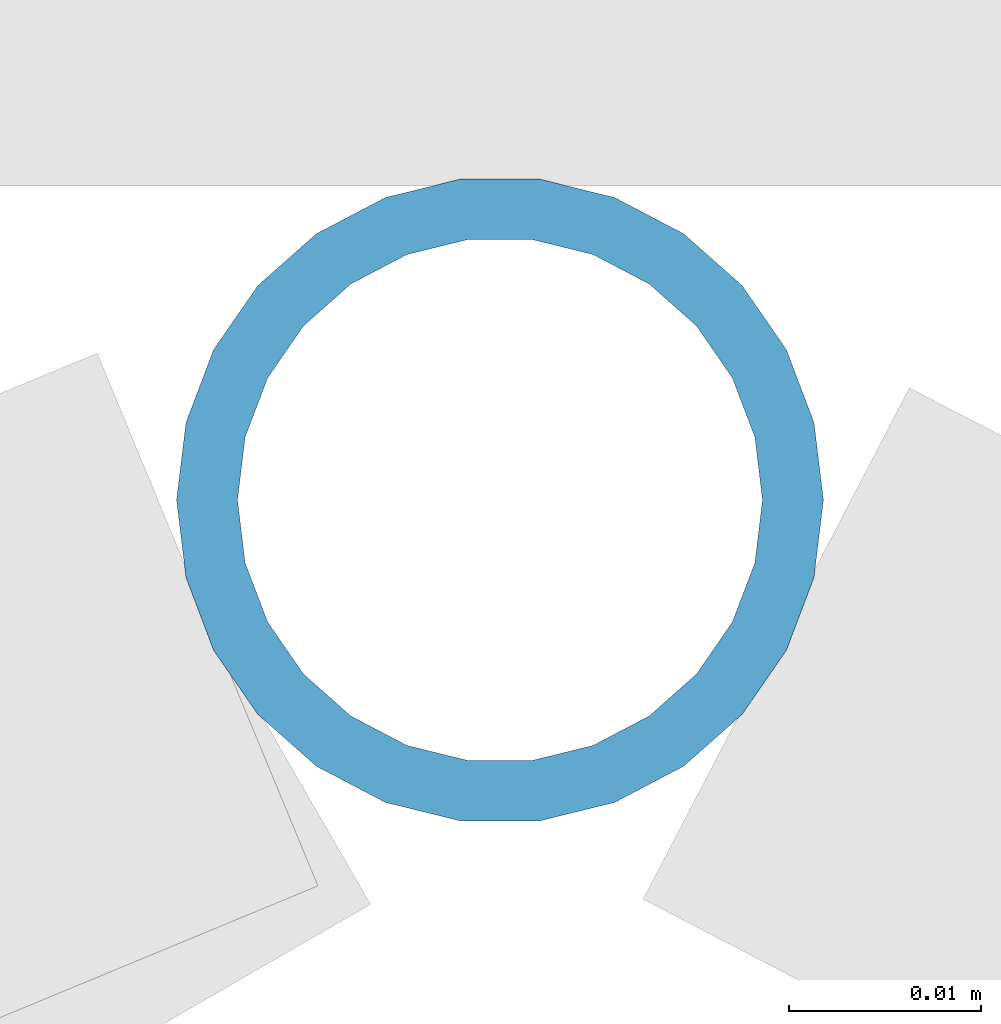
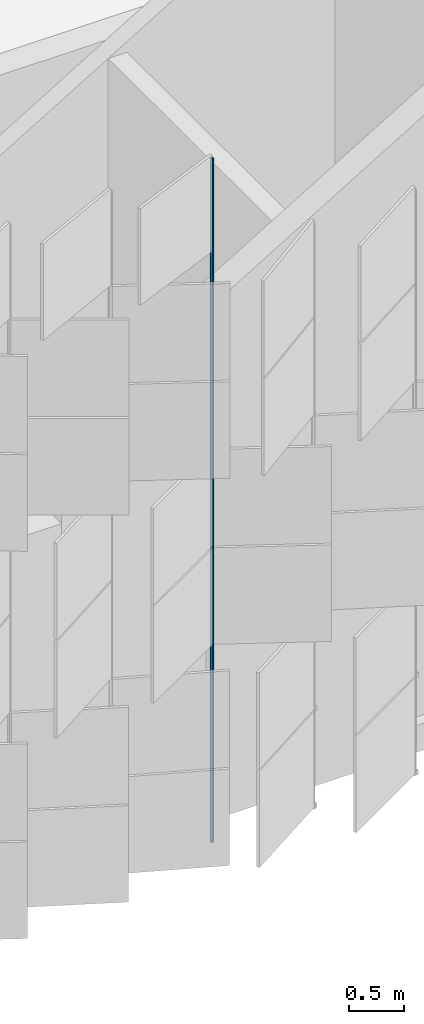
# One storey, part 161 of 483: 1 discrete accessory.
"""IFC4 building model written with IfcOpenShell, lengths in metres."""

import ifcopenshell
import ifcopenshell.guid

model = None  # the IFC model being written
_history = None  # IfcOwnerHistory: only IFC2X3 demands one
_inside = {}  # id of a spatial element -> (the spatial element, [elements in it])
_under = {}  # id of a project, library or spatial element -> (it, [spatial elements below it])
_declared = {}  # id of a project -> (the project, [libraries it declares])
_typed = {}  # id of a type object -> (the type object, [elements of that type])
_made_of = {}  # id of a material, layer set ... -> (it, [elements and type objects made of it])


def new_model(schema):
    """Start an empty IFC model of exactly this schema.

    Asked for "IFC4X3", IfcOpenShell would pick the latest addendum, in which some entities
    have other attributes; the version numbers below select the first issue.
    IFC2X3 requires an IfcOwnerHistory on every rooted entity: one is made here for all.
    """
    global model, _history
    if schema == "IFC4X3":
        model = ifcopenshell.file(schema_version=(4, 3, 0, 0))
    else:
        model = ifcopenshell.file(schema=schema)
    _inside.clear()
    _under.clear()
    _declared.clear()
    _typed.clear()
    _made_of.clear()
    _history = None
    if model.schema == "IFC2X3":
        org = make("IfcOrganization", Name="unknown")
        user = make(
            "IfcPersonAndOrganization",
            ThePerson=make("IfcPerson", FamilyName="unknown"),
            TheOrganization=org,
        )
        app = make(
            "IfcApplication",
            ApplicationDeveloper=org,
            Version="unknown",
            ApplicationFullName="unknown",
            ApplicationIdentifier="unknown",
        )
        _history = make(
            "IfcOwnerHistory",
            OwningUser=user,
            OwningApplication=app,
            ChangeAction="ADDED",
            CreationDate=0,
        )
    return model


def make(cls, **values):
    """One entity of the class cls with the attributes given. An attribute that is None is left unset."""
    return model.create_entity(
        cls, **{name: value for name, value in values.items() if value is not None}
    )


def rooted(cls, **values):
    """An entity with a GlobalId (a new one), such as an element, a storey or a relation."""
    return make(cls, GlobalId=ifcopenshell.guid.new(), OwnerHistory=_history, **values)


def si_unit(unit_type, name, prefix=None):
    """IfcSIUnit, for example si_unit("LENGTHUNIT", "METRE", prefix="MILLI")."""
    return make("IfcSIUnit", UnitType=unit_type, Prefix=prefix, Name=name)


def assignment(units):
    """IfcUnitAssignment: the units of a project."""
    return None if units is None else make("IfcUnitAssignment", Units=units)


def point(xyz):
    """IfcCartesianPoint."""
    return None if xyz is None else make("IfcCartesianPoint", Coordinates=xyz)


def direction(xyz):
    """IfcDirection."""
    return None if xyz is None else make("IfcDirection", DirectionRatios=xyz)


def frame(location, z_axis=None, x_axis=None):
    """IfcAxis2Placement3D, a coordinate frame: its origin and axes. An axis left out is left unset."""
    return make(
        "IfcAxis2Placement3D",
        Location=point(location),
        Axis=direction(z_axis),
        RefDirection=direction(x_axis),
    )


def frame_2d(location, x_axis=None):
    """IfcAxis2Placement2D, a coordinate frame in the plane: its origin and x axis."""
    return make(
        "IfcAxis2Placement2D", Location=point(location), RefDirection=direction(x_axis)
    )


def origin():
    """The frame at (0, 0, 0) with its axes left unset."""
    return frame((0.0, 0.0, 0.0))


def origin_2d():
    """The frame at (0, 0) in the plane with its x axis left unset."""
    return frame_2d((0.0, 0.0))


def place(relative_to, where):
    """IfcLocalPlacement: puts the frame where relative to a parent placement (None: the world)."""
    return make(
        "IfcLocalPlacement", PlacementRelTo=relative_to, RelativePlacement=where
    )


def context(
    kind, dimensions, precision=None, world=None, true_north=None, identifier=None
):
    """IfcGeometricRepresentationContext, for example the 3D "Model" context."""
    return make(
        "IfcGeometricRepresentationContext",
        ContextIdentifier=identifier,
        ContextType=kind,
        CoordinateSpaceDimension=dimensions,
        Precision=precision,
        WorldCoordinateSystem=world,
        TrueNorth=true_north,
    )


def subcontext(parent, identifier, kind, view, scale=None):
    """IfcGeometricRepresentationSubContext, for example "Body" below "Model"."""
    return make(
        "IfcGeometricRepresentationSubContext",
        ContextIdentifier=identifier,
        ContextType=kind,
        ParentContext=parent,
        TargetScale=scale,
        TargetView=view,
    )


def project(units=None, contexts=None):
    """IfcProject with its units and contexts."""
    return rooted(
        "IfcProject",
        Name="project",
        RepresentationContexts=contexts,
        UnitsInContext=assignment(units),
    )


def spatial(cls, under=None, at=None, **own):
    """A site, building, storey or space (cls), placed at a placement, below another one or the project."""
    s = rooted(cls, ObjectPlacement=at, **own)
    if under is not None:
        _under.setdefault(under.id(), (under, []))[1].append(s)
    return s


def profile(cls, at=None, kind="AREA", **sizes):
    """A parametric profile (cls). Its sizes go by their IFC names, for example OverallWidth=200.0."""
    return make(cls, ProfileType=kind, Position=at, **sizes)


def hollow_circle(**sizes):
    """IfcCircleHollowProfileDef."""
    return profile("IfcCircleHollowProfileDef", **sizes)


def extrude(swept, where, along, depth):
    """IfcExtrudedAreaSolid: the profile swept, set in the frame where, extruded along a direction by depth."""
    return make(
        "IfcExtrudedAreaSolid",
        SweptArea=swept,
        Position=where,
        ExtrudedDirection=direction(along),
        Depth=depth,
    )


def shape(context_of_items, identifier, shape_type, items):
    """IfcShapeRepresentation: the items that make up one representation, for example the "Body"."""
    return make(
        "IfcShapeRepresentation",
        ContextOfItems=context_of_items,
        RepresentationIdentifier=identifier,
        RepresentationType=shape_type,
        Items=items,
    )


def material(Name=None, Category=None):
    """IfcMaterial."""
    return make("IfcMaterial", Name=Name, Category=Category)


def material_profile(
    of_material, cross_section, Name=None, Category=None, Priority=None
):
    """IfcMaterialProfile: a cross section and its material."""
    return make(
        "IfcMaterialProfile",
        Name=Name,
        Material=of_material,
        Profile=cross_section,
        Priority=Priority,
        Category=Category,
    )


def profile_set(profiles, Name=None, composite=None):
    """IfcMaterialProfileSet."""
    return make(
        "IfcMaterialProfileSet",
        Name=Name,
        MaterialProfiles=profiles,
        CompositeProfile=composite,
    )


def made_of(thing, what):
    """Note that an element or type object is made of a material, layer set ...; save() writes the relation."""
    if what is not None:
        _made_of.setdefault(what.id(), (what, []))[1].append(thing)
    return thing


def type_object(cls, material=None, **own):
    """A type object (cls), such as IfcWallType, which elements share."""
    return made_of(rooted(cls, **own), material)


def element(
    cls,
    number,
    at=None,
    inside=None,
    cuts=None,
    type_object=None,
    material=None,
    context=None,
    identifier="Body",
    shape_type=None,
    held_by="IfcProductDefinitionShape",
    body=None,
    shapes=None,
    **own,
):
    """One element of the class cls, such as IfcWall. Its Tag is "e" and its number.

    at: its placement. inside: the storey or other place that contains it. cuts: it is an
    opening in that element (IfcRelVoidsElement). A single representation is given by context,
    identifier, shape_type and body (its items); several are given by shapes. held_by: the class
    of the entity that holds the representations. save() writes the other relations.
    """
    e = rooted(cls, Tag="e%d" % number, ObjectPlacement=at, **own)
    if body is not None:
        shapes = [shape(context, identifier, shape_type, body)]
    if shapes is not None:
        e.Representation = make(held_by, Representations=shapes)
    if inside is not None:
        _inside.setdefault(inside.id(), (inside, []))[1].append(e)
    if cuts is not None:
        rooted(
            "IfcRelVoidsElement", RelatingBuildingElement=cuts, RelatedOpeningElement=e
        )
    if type_object is not None:
        _typed.setdefault(type_object.id(), (type_object, []))[1].append(e)
    return made_of(e, material)


def aggregate(whole, parts):
    """IfcRelAggregates: a whole, such as a stair, and the parts it consists of."""
    return rooted("IfcRelAggregates", RelatingObject=whole, RelatedObjects=parts)


def save(model, path):
    """Write the relations noted so far, then the file.

    IfcRelAggregates (storeys below a building ...), IfcRelContainedInSpatialStructure (elements
    in a storey), IfcRelDefinesByType, IfcRelAssociatesMaterial and IfcRelDeclares: one each for
    every whole, place, type object, material and project.
    """
    for whole, parts in _under.values():
        aggregate(whole, parts)
    for where, things in _inside.values():
        rooted(
            "IfcRelContainedInSpatialStructure",
            RelatedElements=things,
            RelatingStructure=where,
        )
    for kind, things in _typed.values():
        rooted("IfcRelDefinesByType", RelatedObjects=things, RelatingType=kind)
    for what, things in _made_of.values():
        rooted("IfcRelAssociatesMaterial", RelatedObjects=things, RelatingMaterial=what)
    for by, libraries in _declared.values():
        rooted("IfcRelDeclares", RelatingContext=by, RelatedDefinitions=libraries)
    model.write(path)


model = new_model("IFC4")

# Units and contexts
model_context = context("Model", 3, precision=1e-05, world=origin(), true_north=direction((0.0, 1.0)))
body_context = subcontext(model_context, "Body", "Model", "MODEL_VIEW")
ifc_project = project(units=[si_unit("LENGTHUNIT", "METRE"), si_unit("AREAUNIT", "SQUARE_METRE"), si_unit("VOLUMEUNIT", "CUBIC_METRE"), si_unit("PLANEANGLEUNIT", "RADIAN"), si_unit("MASSUNIT", "GRAM", prefix="KILO")], contexts=[model_context])

# Site, building, storey
site_placement = place(None, origin())
site = spatial("IfcSite", under=ifc_project, at=site_placement, CompositionType="ELEMENT")
building_placement = place(site_placement, origin())
building = spatial("IfcBuilding", under=site, at=building_placement, Name="Parallax Yard Mobility Hub", CompositionType="ELEMENT")
storey_placement = place(building_placement, frame((0.0, 0.0, 13.199951171875)))
storey = spatial("IfcBuildingStorey", under=building, at=storey_placement, Name="L04", CompositionType="ELEMENT", Elevation=13.199951171875)

# Discrete accessory
ifc_material = material(Name="Steel ASTM A500 Gr C, hot-dip galvanised", Category="steel")
ifc_material_profile = material_profile(ifc_material, hollow_circle(Radius=0.016845703125, WallThickness=0.003173828125, at=origin_2d()), Name="CHS 33.7x3.2")
ifc_profile_set = profile_set([ifc_material_profile], Name="Steel ASTM A500 Gr C, hot-dip galvanised")
discrete_accessory_type = type_object("IfcDiscreteAccessoryType", Name="Hinge post CHS 33.7x3.2", PredefinedType="BRACKET", material=ifc_profile_set)
discrete_accessory_placement = place(storey_placement, frame((133.92041015625, 112.199951171875, 0.0), z_axis=(0.0, 0.0, 1.0), x_axis=(1.0, 0.0, 0.0)))
element("IfcDiscreteAccessory", 1, at=discrete_accessory_placement, inside=storey, type_object=discrete_accessory_type, Name="Hinge post bay 13.7 level L04", PredefinedType="BRACKET", context=body_context, shape_type="SweptSolid", body=[
    extrude(hollow_circle(Radius=0.016845703125, WallThickness=0.003173828125, at=origin_2d()), origin(), (0.0, 0.0, 1.0), 7.650146484375),
])

save(model, "model.ifc")
